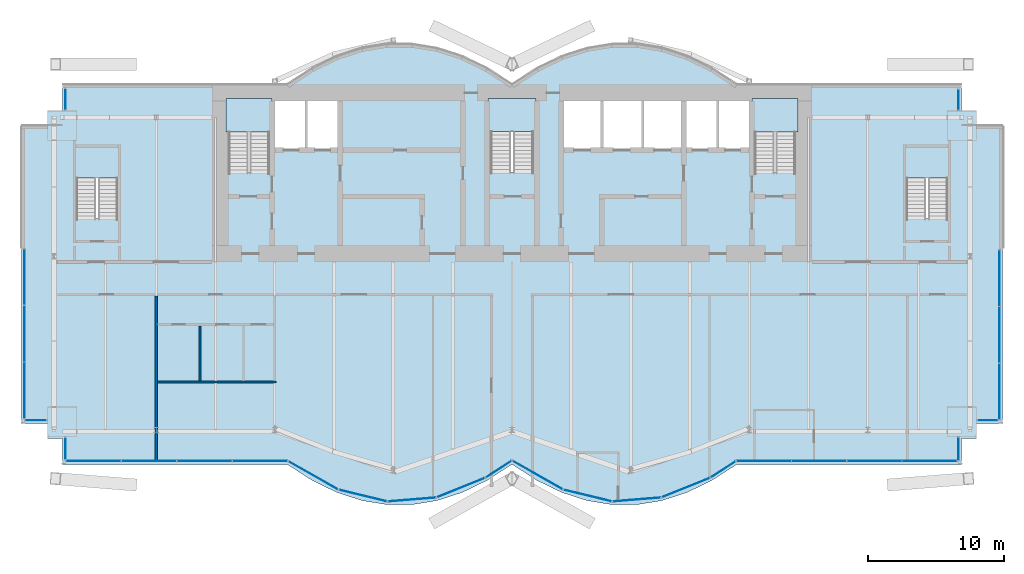
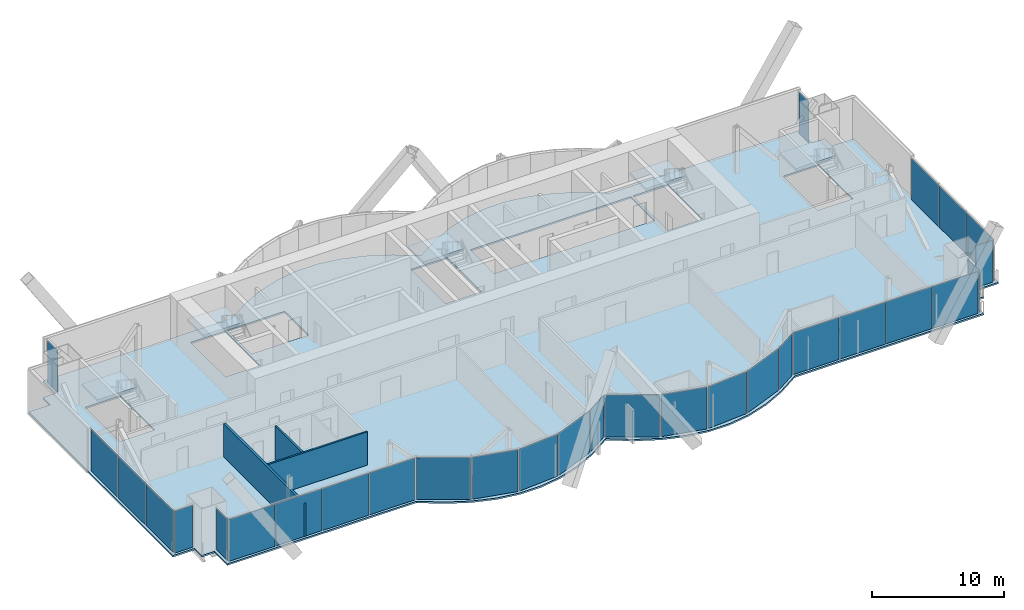
# One storey, part 12 of 19: 30 plates, 6 slabs, 3 walls, 17 elements without a shape of their own.
"""IFC4 building model written with IfcOpenShell, lengths in metres."""

import ifcopenshell
import ifcopenshell.guid

model = None  # the IFC model being written
_history = None  # IfcOwnerHistory: only IFC2X3 demands one
_inside = {}  # id of a spatial element -> (the spatial element, [elements in it])
_under = {}  # id of a project, library or spatial element -> (it, [spatial elements below it])
_declared = {}  # id of a project -> (the project, [libraries it declares])
_typed = {}  # id of a type object -> (the type object, [elements of that type])
_made_of = {}  # id of a material, layer set ... -> (it, [elements and type objects made of it])


def new_model(schema):
    """Start an empty IFC model of exactly this schema.

    Asked for "IFC4X3", IfcOpenShell would pick the latest addendum, in which some entities
    have other attributes; the version numbers below select the first issue.
    IFC2X3 requires an IfcOwnerHistory on every rooted entity: one is made here for all.
    """
    global model, _history
    if schema == "IFC4X3":
        model = ifcopenshell.file(schema_version=(4, 3, 0, 0))
    else:
        model = ifcopenshell.file(schema=schema)
    _inside.clear()
    _under.clear()
    _declared.clear()
    _typed.clear()
    _made_of.clear()
    _history = None
    if model.schema == "IFC2X3":
        org = make("IfcOrganization", Name="unknown")
        user = make(
            "IfcPersonAndOrganization",
            ThePerson=make("IfcPerson", FamilyName="unknown"),
            TheOrganization=org,
        )
        app = make(
            "IfcApplication",
            ApplicationDeveloper=org,
            Version="unknown",
            ApplicationFullName="unknown",
            ApplicationIdentifier="unknown",
        )
        _history = make(
            "IfcOwnerHistory",
            OwningUser=user,
            OwningApplication=app,
            ChangeAction="ADDED",
            CreationDate=0,
        )
    return model


def make(cls, **values):
    """One entity of the class cls with the attributes given. An attribute that is None is left unset."""
    return model.create_entity(
        cls, **{name: value for name, value in values.items() if value is not None}
    )


def rooted(cls, **values):
    """An entity with a GlobalId (a new one), such as an element, a storey or a relation."""
    return make(cls, GlobalId=ifcopenshell.guid.new(), OwnerHistory=_history, **values)


def si_unit(unit_type, name, prefix=None):
    """IfcSIUnit, for example si_unit("LENGTHUNIT", "METRE", prefix="MILLI")."""
    return make("IfcSIUnit", UnitType=unit_type, Prefix=prefix, Name=name)


def assignment(units):
    """IfcUnitAssignment: the units of a project."""
    return None if units is None else make("IfcUnitAssignment", Units=units)


def point(xyz):
    """IfcCartesianPoint."""
    return None if xyz is None else make("IfcCartesianPoint", Coordinates=xyz)


def direction(xyz):
    """IfcDirection."""
    return None if xyz is None else make("IfcDirection", DirectionRatios=xyz)


def frame(location, z_axis=None, x_axis=None):
    """IfcAxis2Placement3D, a coordinate frame: its origin and axes. An axis left out is left unset."""
    return make(
        "IfcAxis2Placement3D",
        Location=point(location),
        Axis=direction(z_axis),
        RefDirection=direction(x_axis),
    )


def frame_2d(location, x_axis=None):
    """IfcAxis2Placement2D, a coordinate frame in the plane: its origin and x axis."""
    return make(
        "IfcAxis2Placement2D", Location=point(location), RefDirection=direction(x_axis)
    )


def origin():
    """The frame at (0, 0, 0) with its axes left unset."""
    return frame((0.0, 0.0, 0.0))


def origin_2d():
    """The frame at (0, 0) in the plane with its x axis left unset."""
    return frame_2d((0.0, 0.0))


def place(relative_to, where):
    """IfcLocalPlacement: puts the frame where relative to a parent placement (None: the world)."""
    return make(
        "IfcLocalPlacement", PlacementRelTo=relative_to, RelativePlacement=where
    )


def context(
    kind, dimensions, precision=None, world=None, true_north=None, identifier=None
):
    """IfcGeometricRepresentationContext, for example the 3D "Model" context."""
    return make(
        "IfcGeometricRepresentationContext",
        ContextIdentifier=identifier,
        ContextType=kind,
        CoordinateSpaceDimension=dimensions,
        Precision=precision,
        WorldCoordinateSystem=world,
        TrueNorth=true_north,
    )


def subcontext(parent, identifier, kind, view, scale=None):
    """IfcGeometricRepresentationSubContext, for example "Body" below "Model"."""
    return make(
        "IfcGeometricRepresentationSubContext",
        ContextIdentifier=identifier,
        ContextType=kind,
        ParentContext=parent,
        TargetScale=scale,
        TargetView=view,
    )


def project(units=None, contexts=None):
    """IfcProject with its units and contexts."""
    return rooted(
        "IfcProject",
        Name="project",
        RepresentationContexts=contexts,
        UnitsInContext=assignment(units),
    )


def spatial(cls, under=None, at=None, **own):
    """A site, building, storey or space (cls), placed at a placement, below another one or the project."""
    s = rooted(cls, ObjectPlacement=at, **own)
    if under is not None:
        _under.setdefault(under.id(), (under, []))[1].append(s)
    return s


def polyline(points):
    """IfcPolyline through the points."""
    return make("IfcPolyline", Points=[point(p) for p in points])


def profile(cls, at=None, kind="AREA", **sizes):
    """A parametric profile (cls). Its sizes go by their IFC names, for example OverallWidth=200.0."""
    return make(cls, ProfileType=kind, Position=at, **sizes)


def rectangle(**sizes):
    """IfcRectangleProfileDef."""
    return profile("IfcRectangleProfileDef", **sizes)


def outline(outer, holes=None, kind="AREA"):
    """IfcArbitraryClosedProfileDef: a profile drawn as a closed curve; with holes, ...WithVoids."""
    if holes is None:
        return make("IfcArbitraryClosedProfileDef", ProfileType=kind, OuterCurve=outer)
    return make(
        "IfcArbitraryProfileDefWithVoids",
        ProfileType=kind,
        OuterCurve=outer,
        InnerCurves=holes,
    )


def extrude(swept, where, along, depth):
    """IfcExtrudedAreaSolid: the profile swept, set in the frame where, extruded along a direction by depth."""
    return make(
        "IfcExtrudedAreaSolid",
        SweptArea=swept,
        Position=where,
        ExtrudedDirection=direction(along),
        Depth=depth,
    )


def shape(context_of_items, identifier, shape_type, items):
    """IfcShapeRepresentation: the items that make up one representation, for example the "Body"."""
    return make(
        "IfcShapeRepresentation",
        ContextOfItems=context_of_items,
        RepresentationIdentifier=identifier,
        RepresentationType=shape_type,
        Items=items,
    )


def material(Name=None, Category=None):
    """IfcMaterial."""
    return make("IfcMaterial", Name=Name, Category=Category)


def layer(
    of_material, thickness, ventilated=None, Name=None, Category=None, Priority=None
):
    """IfcMaterialLayer: one layer of a wall or slab, of a material (None: an air gap)."""
    return make(
        "IfcMaterialLayer",
        Material=of_material,
        LayerThickness=thickness,
        IsVentilated=ventilated,
        Name=Name,
        Category=Category,
        Priority=Priority,
    )


def layer_set(layers, Name=None):
    """IfcMaterialLayerSet."""
    return make("IfcMaterialLayerSet", MaterialLayers=layers, LayerSetName=Name)


def made_of(thing, what):
    """Note that an element or type object is made of a material, layer set ...; save() writes the relation."""
    if what is not None:
        _made_of.setdefault(what.id(), (what, []))[1].append(thing)
    return thing


def type_object(cls, material=None, **own):
    """A type object (cls), such as IfcWallType, which elements share."""
    return made_of(rooted(cls, **own), material)


def element(
    cls,
    number,
    at=None,
    inside=None,
    cuts=None,
    type_object=None,
    material=None,
    context=None,
    identifier="Body",
    shape_type=None,
    held_by="IfcProductDefinitionShape",
    body=None,
    shapes=None,
    **own,
):
    """One element of the class cls, such as IfcWall. Its Tag is "e" and its number.

    at: its placement. inside: the storey or other place that contains it. cuts: it is an
    opening in that element (IfcRelVoidsElement). A single representation is given by context,
    identifier, shape_type and body (its items); several are given by shapes. held_by: the class
    of the entity that holds the representations. save() writes the other relations.
    """
    e = rooted(cls, Tag="e%d" % number, ObjectPlacement=at, **own)
    if body is not None:
        shapes = [shape(context, identifier, shape_type, body)]
    if shapes is not None:
        e.Representation = make(held_by, Representations=shapes)
    if inside is not None:
        _inside.setdefault(inside.id(), (inside, []))[1].append(e)
    if cuts is not None:
        rooted(
            "IfcRelVoidsElement", RelatingBuildingElement=cuts, RelatedOpeningElement=e
        )
    if type_object is not None:
        _typed.setdefault(type_object.id(), (type_object, []))[1].append(e)
    return made_of(e, material)


def aggregate(whole, parts):
    """IfcRelAggregates: a whole, such as a stair, and the parts it consists of."""
    return rooted("IfcRelAggregates", RelatingObject=whole, RelatedObjects=parts)


def save(model, path):
    """Write the relations noted so far, then the file.

    IfcRelAggregates (storeys below a building ...), IfcRelContainedInSpatialStructure (elements
    in a storey), IfcRelDefinesByType, IfcRelAssociatesMaterial and IfcRelDeclares: one each for
    every whole, place, type object, material and project.
    """
    for whole, parts in _under.values():
        aggregate(whole, parts)
    for where, things in _inside.values():
        rooted(
            "IfcRelContainedInSpatialStructure",
            RelatedElements=things,
            RelatingStructure=where,
        )
    for kind, things in _typed.values():
        rooted("IfcRelDefinesByType", RelatedObjects=things, RelatingType=kind)
    for what, things in _made_of.values():
        rooted("IfcRelAssociatesMaterial", RelatedObjects=things, RelatingMaterial=what)
    for by, libraries in _declared.values():
        rooted("IfcRelDeclares", RelatingContext=by, RelatedDefinitions=libraries)
    model.write(path)


model = new_model("IFC4")

# Units and contexts
model_context = context("Model", 3, precision=1e-05, world=origin(), true_north=direction((0.0, 1.0)))
body_context = subcontext(model_context, "Body", "Model", "MODEL_VIEW")
ifc_project = project(units=[si_unit("LENGTHUNIT", "METRE"), si_unit("AREAUNIT", "SQUARE_METRE"), si_unit("VOLUMEUNIT", "CUBIC_METRE"), si_unit("PLANEANGLEUNIT", "RADIAN"), si_unit("MASSUNIT", "GRAM", prefix="KILO")], contexts=[model_context])

# Site, building, storey
site_placement = place(None, origin())
site = spatial("IfcSite", under=ifc_project, at=site_placement, CompositionType="ELEMENT")
building_placement = place(site_placement, origin())
building = spatial("IfcBuilding", under=site, at=building_placement, Name="Bicima Exchange Tower", CompositionType="ELEMENT")
storey_placement = place(building_placement, frame((0.0, 0.0, 283.39990234375)))
storey = spatial("IfcBuildingStorey", under=building, at=storey_placement, Name="L64", CompositionType="ELEMENT", Elevation=283.39990234375)

# Slab
ifc_material_1 = material(Name="Concrete C40/50", Category="concrete")
ifc_layer_1 = layer(ifc_material_1, 0.14990234375)
ifc_layer_set_1 = layer_set([ifc_layer_1], Name="Concrete C40/50")
slab_type_1 = type_object("IfcSlabType", Name="Composite floor slab 150", PredefinedType="FLOOR", material=ifc_layer_set_1)
slab_1_placement = place(storey_placement, frame((0.0, 0.0, -0.14990234375)))
element("IfcSlab", 1, at=slab_1_placement, inside=storey, type_object=slab_type_1, Name="Floor slab", PredefinedType="FLOOR", context=body_context, shape_type="SweptSolid", body=[
    extrude(outline(polyline([(-36.0, -24.847900390625), (-36.0, -3.0), (-34.10009765625, -3.0), (-34.10009765625, -1.89990234375), (-33.0, -1.89990234375), (-33.0, 0.0), (-16.5, 0.0), (-14.666748046875, 1.185302734375), (-12.833251953125, 2.07421875), (-11.0, 2.666748046875), (-9.166748046875, 2.962890625), (-7.333251953125, 2.962890625), (-5.5, 2.666748046875), (-3.666748046875, 2.07421875), (-1.833251953125, 1.185302734375), (0.0, 0.0), (1.833251953125, 1.185302734375), (3.666748046875, 2.07421875), (5.5, 2.666748046875), (7.333251953125, 2.962890625), (9.166748046875, 2.962890625), (11.0, 2.666748046875), (12.833251953125, 2.07421875), (14.666748046875, 1.185302734375), (16.5, 0.0), (33.0, 0.0), (33.0, -1.89990234375), (34.10009765625, -1.89990234375), (34.10009765625, -3.0), (36.0, -3.0), (36.0, -24.847900390625), (34.10009765625, -24.847900390625), (34.10009765625, -25.947998046875), (33.0, -25.947998046875), (33.0, -27.847900390625), (16.5, -27.847900390625), (14.666748046875, -29.033203125), (12.833251953125, -29.922119140625), (11.0, -30.5146484375), (9.166748046875, -30.81103515625), (7.333251953125, -30.81103515625), (5.5, -30.5146484375), (3.666748046875, -29.922119140625), (1.833251953125, -29.033203125), (0.0, -27.847900390625), (-1.833251953125, -29.033203125), (-3.666748046875, -29.922119140625), (-5.5, -30.5146484375), (-7.333251953125, -30.81103515625), (-9.166748046875, -30.81103515625), (-11.0, -30.5146484375), (-12.833251953125, -29.922119140625), (-14.666748046875, -29.033203125), (-16.5, -27.847900390625), (-33.0, -27.847900390625), (-33.0, -25.947998046875), (-34.10009765625, -25.947998046875), (-34.10009765625, -24.847900390625), (-36.0, -24.847900390625)]), holes=[polyline([(-28.925048828125, -9.824951171875), (-28.925048828125, -4.625), (-31.97509765625, -4.625), (-31.97509765625, -9.824951171875), (-28.925048828125, -9.824951171875)]), polyline([(-20.800048828125, -6.449951171875), (-17.800048828125, -6.449951171875), (-17.800048828125, -1.199951171875), (-20.800048828125, -1.199951171875), (-20.800048828125, -6.449951171875)]), polyline([(-1.574951171875, -6.39990234375), (1.574951171875, -6.39990234375), (1.574951171875, -1.199951171875), (-1.574951171875, -1.199951171875), (-1.574951171875, -6.39990234375)]), polyline([(-12.60009765625, -1.199951171875), (-15.10009765625, -1.199951171875), (-17.60009765625, -1.199951171875), (-17.60009765625, -4.800048828125), (-15.10009765625, -4.800048828125), (-12.60009765625, -4.800048828125), (-12.60009765625, -1.199951171875)]), polyline([(3.60009765625, -4.800048828125), (6.60009765625, -4.800048828125), (9.60009765625, -4.800048828125), (12.60009765625, -4.800048828125), (15.10009765625, -4.800048828125), (17.60009765625, -4.800048828125), (17.60009765625, -1.199951171875), (15.10009765625, -1.199951171875), (12.60009765625, -1.199951171875), (9.60009765625, -1.199951171875), (6.60009765625, -1.199951171875), (3.60009765625, -1.199951171875), (3.60009765625, -4.800048828125)]), polyline([(31.97509765625, -9.824951171875), (31.97509765625, -4.625), (28.925048828125, -4.625), (28.925048828125, -9.824951171875), (31.97509765625, -9.824951171875)]), polyline([(17.800048828125, -6.449951171875), (20.800048828125, -6.449951171875), (20.800048828125, -1.199951171875), (17.800048828125, -1.199951171875), (17.800048828125, -6.449951171875)])]), origin(), (0.0, 0.0, 1.0), 0.14990234375),
])

# Curtain wall, plates
ifc_material_2 = material(Name="Anodised bronze aluminium", Category="aluminium")
curtain_wall_type_1 = type_object("IfcCurtainWallType", Name="End face glass wall", PredefinedType="NOTDEFINED", material=ifc_material_2)
curtain_wall_1_placement = place(storey_placement, origin())
curtain_wall_1 = element("IfcCurtainWall", 2, at=curtain_wall_1_placement, inside=storey, type_object=curtain_wall_type_1, Name="End face glass wall L64 run 2", PredefinedType="NOTDEFINED")
ifc_material_3 = material(Name="Bronze tinted glass", Category="glass")
ifc_layer_2 = layer(ifc_material_3, 0.031982421875)
ifc_layer_set_2 = layer_set([ifc_layer_2], Name="Bronze tinted glass")
plate_type_1 = type_object("IfcPlateType", Name="End face glass wall glass panel 32", PredefinedType="CURTAIN_PANEL", material=ifc_layer_set_2)
plate_1_placement = place(storey_placement, frame((-35.77001953125, -14.109619140625, 0.0), z_axis=(0.0, 0.0, 1.0), x_axis=(0.0, -1.0, 0.0)))
plate_1 = element("IfcPlate", 3, at=plate_1_placement, type_object=plate_type_1, Name="End face glass wall panel 1.1", PredefinedType="CURTAIN_PANEL", context=body_context, shape_type="SweptSolid", body=[
    extrude(rectangle(XDim=4.099365234375, YDim=0.031982421875, at=origin_2d()), origin(), (0.0, 0.0, 1.0), 3.860107421875),
])
plate_2_placement = place(storey_placement, frame((-35.77001953125, -18.26904296875, 0.0), z_axis=(0.0, 0.0, 1.0), x_axis=(0.0, -1.0, 0.0)))
plate_2 = element("IfcPlate", 4, at=plate_2_placement, type_object=plate_type_1, Name="End face glass wall panel 2.1", PredefinedType="CURTAIN_PANEL", context=body_context, shape_type="SweptSolid", body=[
    extrude(rectangle(XDim=4.099365234375, YDim=0.031982421875, at=origin_2d()), origin(), (0.0, 0.0, 1.0), 3.860107421875),
])

curtain_wall_2_placement = place(storey_placement, origin())
curtain_wall_2 = element("IfcCurtainWall", 5, at=curtain_wall_2_placement, inside=storey, type_object=curtain_wall_type_1, Name="End face glass wall L64 run 19", PredefinedType="NOTDEFINED")
plate_3_placement = place(storey_placement, frame((35.77001953125, -18.34912109375, 0.0), z_axis=(0.0, 0.0, 1.0), x_axis=(0.0, 1.0, 0.0)))
plate_3 = element("IfcPlate", 6, at=plate_3_placement, type_object=plate_type_1, Name="End face glass wall panel 2.1", PredefinedType="CURTAIN_PANEL", context=body_context, shape_type="SweptSolid", body=[
    extrude(rectangle(XDim=4.099365234375, YDim=0.031982421875, at=origin_2d()), origin(), (0.0, 0.0, 1.0), 3.860107421875),
])
plate_4_placement = place(storey_placement, frame((35.77001953125, -14.189697265625, 0.0), z_axis=(0.0, 0.0, 1.0), x_axis=(0.0, 1.0, 0.0)))
plate_4 = element("IfcPlate", 7, at=plate_4_placement, type_object=plate_type_1, Name="End face glass wall panel 3.1", PredefinedType="CURTAIN_PANEL", context=body_context, shape_type="SweptSolid", body=[
    extrude(rectangle(XDim=4.099365234375, YDim=0.031982421875, at=origin_2d()), origin(), (0.0, 0.0, 1.0), 3.860107421875),
])

# Plate
ifc_material_4 = material(Name="Bronze anodised aluminium", Category="aluminium")
ifc_layer_3 = layer(ifc_material_4, 0.031982421875)
ifc_layer_set_3 = layer_set([ifc_layer_3], Name="Bronze anodised aluminium")
plate_type_2 = type_object("IfcPlateType", Name="End face glass wall spandrel panel 32", PredefinedType="CURTAIN_PANEL", material=ifc_layer_set_3)
plate_5_placement = place(storey_placement, frame((-35.77001953125, -22.42822265625, 0.0), z_axis=(0.0, 0.0, 1.0), x_axis=(0.0, -1.0, 0.0)))
plate_5 = element("IfcPlate", 8, at=plate_5_placement, type_object=plate_type_2, Name="End face spandrel wall panel 3.1", PredefinedType="CURTAIN_PANEL", context=body_context, shape_type="SweptSolid", body=[
    extrude(rectangle(XDim=4.099365234375, YDim=0.031982421875, at=origin_2d()), origin(), (0.0, 0.0, 1.0), 3.860107421875),
])

aggregate(curtain_wall_1, [plate_1, plate_2, plate_5])

plate_6_placement = place(storey_placement, frame((35.77001953125, -22.50830078125, 0.0), z_axis=(0.0, 0.0, 1.0), x_axis=(0.0, 1.0, 0.0)))
plate_6 = element("IfcPlate", 9, at=plate_6_placement, type_object=plate_type_2, Name="End face spandrel wall panel 1.1", PredefinedType="CURTAIN_PANEL", context=body_context, shape_type="SweptSolid", body=[
    extrude(rectangle(XDim=4.099365234375, YDim=0.031982421875, at=origin_2d()), origin(), (0.0, 0.0, 1.0), 3.860107421875),
])

aggregate(curtain_wall_2, [plate_6, plate_3, plate_4])

# Curtain wall, plate
curtain_wall_type_2 = type_object("IfcCurtainWallType", Name="Front glass wall", PredefinedType="NOTDEFINED", material=ifc_material_2)
curtain_wall_3_placement = place(storey_placement, origin())
curtain_wall_3 = element("IfcCurtainWall", 10, at=curtain_wall_3_placement, inside=storey, type_object=curtain_wall_type_2, Name="Front glass wall L64 run 1", PredefinedType="NOTDEFINED")
ifc_layer_4 = layer(ifc_material_3, 0.031982421875)
ifc_layer_set_4 = layer_set([ifc_layer_4], Name="Bronze tinted glass")
plate_type_3 = type_object("IfcPlateType", Name="Front glass wall glass panel 32", PredefinedType="CURTAIN_PANEL", material=ifc_layer_set_4)
plate_7_placement = place(storey_placement, frame((-32.77001953125, -1.06494140625, 0.0), z_axis=(0.0, 0.0, 1.0), x_axis=(0.0, -1.0, 0.0)))
plate_7 = element("IfcPlate", 11, at=plate_7_placement, type_object=plate_type_3, Name="Front glass wall panel 1.1", PredefinedType="CURTAIN_PANEL", context=body_context, shape_type="SweptSolid", body=[
    extrude(rectangle(XDim=1.550048828125, YDim=0.031982421875, at=origin_2d()), origin(), (0.0, 0.0, 1.0), 3.860107421875),
])
aggregate(curtain_wall_3, [plate_7])

curtain_wall_4_placement = place(storey_placement, origin())
curtain_wall_4 = element("IfcCurtainWall", 12, at=curtain_wall_4_placement, inside=storey, type_object=curtain_wall_type_2, Name="Front glass wall L64 run 3", PredefinedType="NOTDEFINED")
plate_8_placement = place(storey_placement, frame((-34.93505859375, -24.617919921875, 0.0), z_axis=(0.0, 0.0, 1.0), x_axis=(1.0, 0.0, 0.0)))
plate_8 = element("IfcPlate", 13, at=plate_8_placement, type_object=plate_type_3, Name="Front glass wall panel 1.1", PredefinedType="CURTAIN_PANEL", context=body_context, shape_type="SweptSolid", body=[
    extrude(rectangle(XDim=1.550048828125, YDim=0.031982421875, at=origin_2d()), origin(), (0.0, 0.0, 1.0), 3.860107421875),
])
aggregate(curtain_wall_4, [plate_8])

curtain_wall_5_placement = place(storey_placement, origin())
curtain_wall_5 = element("IfcCurtainWall", 14, at=curtain_wall_5_placement, inside=storey, type_object=curtain_wall_type_2, Name="Front glass wall L64 run 4", PredefinedType="NOTDEFINED")
plate_9_placement = place(storey_placement, frame((-32.77001953125, -26.681884765625, 0.0), z_axis=(0.0, 0.0, 1.0), x_axis=(0.0, -1.0, 0.0)))
plate_9 = element("IfcPlate", 15, at=plate_9_placement, type_object=plate_type_3, Name="Front glass wall panel 1.1", PredefinedType="CURTAIN_PANEL", context=body_context, shape_type="SweptSolid", body=[
    extrude(rectangle(XDim=1.592041015625, YDim=0.031982421875, at=origin_2d()), origin(), (0.0, 0.0, 1.0), 3.860107421875),
])
aggregate(curtain_wall_5, [plate_9])

# Curtain wall, plates
curtain_wall_6_placement = place(storey_placement, origin())
curtain_wall_6 = element("IfcCurtainWall", 16, at=curtain_wall_6_placement, inside=storey, type_object=curtain_wall_type_2, Name="Front glass wall L64 run 5", PredefinedType="NOTDEFINED")
plate_10_placement = place(storey_placement, frame((-22.56640625, -27.617919921875, 0.0), z_axis=(0.0, 0.0, 1.0), x_axis=(1.0, 0.0, 0.0)))
plate_10 = element("IfcPlate", 17, at=plate_10_placement, type_object=plate_type_3, Name="Front glass wall panel 3.1", PredefinedType="CURTAIN_PANEL", context=body_context, shape_type="SweptSolid", body=[
    extrude(rectangle(XDim=4.009521484375, YDim=0.031982421875, at=origin_2d()), origin(), (0.0, 0.0, 1.0), 3.860107421875),
])
plate_11_placement = place(storey_placement, frame((-18.496826171875, -27.617919921875, 0.0), z_axis=(0.0, 0.0, 1.0), x_axis=(1.0, 0.0, 0.0)))
plate_11 = element("IfcPlate", 18, at=plate_11_placement, type_object=plate_type_3, Name="Front glass wall panel 4.1", PredefinedType="CURTAIN_PANEL", context=body_context, shape_type="SweptSolid", body=[
    extrude(rectangle(XDim=4.009521484375, YDim=0.031982421875, at=origin_2d()), origin(), (0.0, 0.0, 1.0), 3.860107421875),
])

curtain_wall_7_placement = place(storey_placement, origin())
curtain_wall_7 = element("IfcCurtainWall", 19, at=curtain_wall_7_placement, inside=storey, type_object=curtain_wall_type_2, Name="Front glass wall L64 run 6", PredefinedType="NOTDEFINED")
plate_12_placement = place(storey_placement, frame((-14.589599609375, -28.6630859375, 0.0), z_axis=(0.0, 0.0, 1.0), x_axis=(0.869805110681, -0.493395449343, 0.0)))
plate_12 = element("IfcPlate", 20, at=plate_12_placement, type_object=plate_type_3, Name="Front glass wall panel 1.1", PredefinedType="CURTAIN_PANEL", context=body_context, shape_type="SweptSolid", body=[
    extrude(rectangle(XDim=4.1162109375, YDim=0.031982421875, at=origin_2d()), origin(), (0.0, 0.0, 1.0), 3.860107421875),
])
plate_13_placement = place(storey_placement, frame((-10.94775390625, -30.14453125, 0.0), z_axis=(0.0, 0.0, 1.0), x_axis=(0.971830343553, -0.235681529503, 0.0)))
plate_13 = element("IfcPlate", 21, at=plate_13_placement, type_object=plate_type_3, Name="Front glass wall panel 1.1", PredefinedType="CURTAIN_PANEL", context=body_context, shape_type="SweptSolid", body=[
    extrude(rectangle(XDim=3.583251953125, YDim=0.031982421875, at=origin_2d()), origin(), (0.0, 0.0, 1.0), 3.860107421875),
])
plate_14_placement = place(storey_placement, frame((-0.97314453125, -28.203125, 0.0), z_axis=(0.0, 0.0, 1.0), x_axis=(0.839798994301, 0.542897457326, 0.0)))
plate_14 = element("IfcPlate", 22, at=plate_14_placement, type_object=plate_type_3, Name="Front glass wall panel 1.1", PredefinedType="CURTAIN_PANEL", context=body_context, shape_type="SweptSolid", body=[
    extrude(rectangle(XDim=2.197509765625, YDim=0.031982421875, at=origin_2d()), origin(), (0.0, 0.0, 1.0), 3.860107421875),
])

curtain_wall_8_placement = place(storey_placement, origin())
curtain_wall_8 = element("IfcCurtainWall", 23, at=curtain_wall_8_placement, inside=storey, type_object=curtain_wall_type_2, Name="Front glass wall L64 run 11", PredefinedType="NOTDEFINED")
plate_15_placement = place(storey_placement, frame((9.14892578125, -30.435791015625, 0.0), z_axis=(0.0, 0.0, 1.0), x_axis=(0.99674744821, 0.080588612633, 0.0)))
plate_15 = element("IfcPlate", 24, at=plate_15_placement, type_object=plate_type_3, Name="Front glass wall panel 1.1", PredefinedType="CURTAIN_PANEL", context=body_context, shape_type="SweptSolid", body=[
    extrude(rectangle(XDim=3.486083984375, YDim=0.031982421875, at=origin_2d()), origin(), (0.0, 0.0, 1.0), 3.860107421875),
])
plate_16_placement = place(storey_placement, frame((12.749755859375, -29.561279296875, 0.0), z_axis=(0.0, 0.0, 1.0), x_axis=(0.92714396679, 0.374705304, 0.0)))
plate_16 = element("IfcPlate", 25, at=plate_16_placement, type_object=plate_type_3, Name="Front glass wall panel 1.1", PredefinedType="CURTAIN_PANEL", context=body_context, shape_type="SweptSolid", body=[
    extrude(rectangle(XDim=3.771240234375, YDim=0.031982421875, at=origin_2d()), origin(), (0.0, 0.0, 1.0), 3.860107421875),
])
plate_17_placement = place(storey_placement, frame((15.492919921875, -28.22509765625, 0.0), z_axis=(0.0, 0.0, 1.0), x_axis=(0.839791413941, 0.542909183079, 0.0)))
plate_17 = element("IfcPlate", 26, at=plate_17_placement, type_object=plate_type_3, Name="Front glass wall panel 1.1", PredefinedType="CURTAIN_PANEL", context=body_context, shape_type="SweptSolid", body=[
    extrude(rectangle(XDim=2.11669921875, YDim=0.031982421875, at=origin_2d()), origin(), (0.0, 0.0, 1.0), 3.860107421875),
])

curtain_wall_9_placement = place(storey_placement, origin())
curtain_wall_9 = element("IfcCurtainWall", 27, at=curtain_wall_9_placement, inside=storey, type_object=curtain_wall_type_2, Name="Front glass wall L64 run 16", PredefinedType="NOTDEFINED")
plate_18_placement = place(storey_placement, frame((18.48681640625, -27.617919921875, 0.0), z_axis=(0.0, 0.0, 1.0), x_axis=(1.0, 0.0, 0.0)))
plate_18 = element("IfcPlate", 28, at=plate_18_placement, type_object=plate_type_3, Name="Front glass wall panel 1.1", PredefinedType="CURTAIN_PANEL", context=body_context, shape_type="SweptSolid", body=[
    extrude(rectangle(XDim=3.989501953125, YDim=0.031982421875, at=origin_2d()), origin(), (0.0, 0.0, 1.0), 3.860107421875),
])
plate_19_placement = place(storey_placement, frame((22.536376953125, -27.617919921875, 0.0), z_axis=(0.0, 0.0, 1.0), x_axis=(1.0, 0.0, 0.0)))
plate_19 = element("IfcPlate", 29, at=plate_19_placement, type_object=plate_type_3, Name="Front glass wall panel 2.1", PredefinedType="CURTAIN_PANEL", context=body_context, shape_type="SweptSolid", body=[
    extrude(rectangle(XDim=3.989501953125, YDim=0.031982421875, at=origin_2d()), origin(), (0.0, 0.0, 1.0), 3.860107421875),
])

# Curtain wall, plate
curtain_wall_10_placement = place(storey_placement, origin())
curtain_wall_10 = element("IfcCurtainWall", 30, at=curtain_wall_10_placement, inside=storey, type_object=curtain_wall_type_2, Name="Front glass wall L64 run 17", PredefinedType="NOTDEFINED")
plate_20_placement = place(storey_placement, frame((32.77001953125, -26.721923828125, 0.0), z_axis=(0.0, 0.0, 1.0), x_axis=(0.0, 1.0, 0.0)))
plate_20 = element("IfcPlate", 31, at=plate_20_placement, type_object=plate_type_3, Name="Front glass wall panel 1.1", PredefinedType="CURTAIN_PANEL", context=body_context, shape_type="SweptSolid", body=[
    extrude(rectangle(XDim=1.672119140625, YDim=0.031982421875, at=origin_2d()), origin(), (0.0, 0.0, 1.0), 3.860107421875),
])
aggregate(curtain_wall_10, [plate_20])

curtain_wall_11_placement = place(storey_placement, origin())
curtain_wall_11 = element("IfcCurtainWall", 32, at=curtain_wall_11_placement, inside=storey, type_object=curtain_wall_type_2, Name="Front glass wall L64 run 18", PredefinedType="NOTDEFINED")
plate_21_placement = place(storey_placement, frame((34.89501953125, -24.617919921875, 0.0), z_axis=(0.0, 0.0, 1.0), x_axis=(1.0, 0.0, 0.0)))
plate_21 = element("IfcPlate", 33, at=plate_21_placement, type_object=plate_type_3, Name="Front glass wall panel 1.1", PredefinedType="CURTAIN_PANEL", context=body_context, shape_type="SweptSolid", body=[
    extrude(rectangle(XDim=1.469970703125, YDim=0.031982421875, at=origin_2d()), origin(), (0.0, 0.0, 1.0), 3.860107421875),
])
aggregate(curtain_wall_11, [plate_21])

curtain_wall_12_placement = place(storey_placement, origin())
curtain_wall_12 = element("IfcCurtainWall", 34, at=curtain_wall_12_placement, inside=storey, type_object=curtain_wall_type_2, Name="Front glass wall L64 run 20", PredefinedType="NOTDEFINED")
plate_22_placement = place(storey_placement, frame((32.77001953125, -1.10498046875, 0.0), z_axis=(0.0, 0.0, 1.0), x_axis=(0.0, 1.0, 0.0)))
plate_22 = element("IfcPlate", 35, at=plate_22_placement, type_object=plate_type_3, Name="Front glass wall panel 1.1", PredefinedType="CURTAIN_PANEL", context=body_context, shape_type="SweptSolid", body=[
    extrude(rectangle(XDim=1.469970703125, YDim=0.031982421875, at=origin_2d()), origin(), (0.0, 0.0, 1.0), 3.860107421875),
])
aggregate(curtain_wall_12, [plate_22])

# Plate
ifc_layer_5 = layer(ifc_material_4, 0.031982421875)
ifc_layer_set_5 = layer_set([ifc_layer_5], Name="Bronze anodised aluminium")
plate_type_4 = type_object("IfcPlateType", Name="Front glass wall spandrel panel 32", PredefinedType="CURTAIN_PANEL", material=ifc_layer_set_5)
plate_23_placement = place(storey_placement, frame((-30.705322265625, -27.617919921875, 0.0), z_axis=(0.0, 0.0, 1.0), x_axis=(1.0, 0.0, 0.0)))
plate_23 = element("IfcPlate", 36, at=plate_23_placement, type_object=plate_type_4, Name="Front spandrel wall panel 1.1", PredefinedType="CURTAIN_PANEL", context=body_context, shape_type="SweptSolid", body=[
    extrude(rectangle(XDim=4.009521484375, YDim=0.031982421875, at=origin_2d()), origin(), (0.0, 0.0, 1.0), 3.860107421875),
])

plate_24_placement = place(storey_placement, frame((-26.6357421875, -27.617919921875, 0.0), z_axis=(0.0, 0.0, 1.0), x_axis=(1.0, 0.0, 0.0)))
plate_24 = element("IfcPlate", 37, at=plate_24_placement, type_object=plate_type_4, Name="Front spandrel wall panel 2.1", PredefinedType="CURTAIN_PANEL", context=body_context, shape_type="SweptSolid", body=[
    extrude(rectangle(XDim=4.009521484375, YDim=0.031982421875, at=origin_2d()), origin(), (0.0, 0.0, 1.0), 3.860107421875),
])

aggregate(curtain_wall_6, [plate_23, plate_24, plate_10, plate_11])

plate_25_placement = place(storey_placement, frame((-7.35107421875, -30.435791015625, 0.0), z_axis=(0.0, 0.0, 1.0), x_axis=(0.99674744821, 0.080588612633, 0.0)))
plate_25 = element("IfcPlate", 38, at=plate_25_placement, type_object=plate_type_4, Name="Front spandrel wall panel 1.1", PredefinedType="CURTAIN_PANEL", context=body_context, shape_type="SweptSolid", body=[
    extrude(rectangle(XDim=3.486083984375, YDim=0.031982421875, at=origin_2d()), origin(), (0.0, 0.0, 1.0), 3.860107421875),
])

plate_26_placement = place(storey_placement, frame((-3.750244140625, -29.561279296875, 0.0), z_axis=(0.0, 0.0, 1.0), x_axis=(0.92714396679, 0.374705304, 0.0)))
plate_26 = element("IfcPlate", 39, at=plate_26_placement, type_object=plate_type_4, Name="Front spandrel wall panel 1.1", PredefinedType="CURTAIN_PANEL", context=body_context, shape_type="SweptSolid", body=[
    extrude(rectangle(XDim=3.771240234375, YDim=0.031982421875, at=origin_2d()), origin(), (0.0, 0.0, 1.0), 3.860107421875),
])

aggregate(curtain_wall_7, [plate_12, plate_13, plate_25, plate_26, plate_14])

plate_27_placement = place(storey_placement, frame((1.876220703125, -28.64111328125, 0.0), z_axis=(0.0, 0.0, 1.0), x_axis=(0.869274147378, -0.494330311331, 0.0)))
plate_27 = element("IfcPlate", 40, at=plate_27_placement, type_object=plate_type_4, Name="Front spandrel wall panel 1.1", PredefinedType="CURTAIN_PANEL", context=body_context, shape_type="SweptSolid", body=[
    extrude(rectangle(XDim=4.197021484375, YDim=0.031982421875, at=origin_2d()), origin(), (0.0, 0.0, 1.0), 3.860107421875),
])

plate_28_placement = place(storey_placement, frame((5.55224609375, -30.14453125, 0.0), z_axis=(0.0, 0.0, 1.0), x_axis=(0.971830343553, -0.235681529503, 0.0)))
plate_28 = element("IfcPlate", 41, at=plate_28_placement, type_object=plate_type_4, Name="Front spandrel wall panel 1.1", PredefinedType="CURTAIN_PANEL", context=body_context, shape_type="SweptSolid", body=[
    extrude(rectangle(XDim=3.583251953125, YDim=0.031982421875, at=origin_2d()), origin(), (0.0, 0.0, 1.0), 3.860107421875),
])

aggregate(curtain_wall_8, [plate_27, plate_28, plate_15, plate_16, plate_17])

plate_29_placement = place(storey_placement, frame((26.585693359375, -27.617919921875, 0.0), z_axis=(0.0, 0.0, 1.0), x_axis=(1.0, 0.0, 0.0)))
plate_29 = element("IfcPlate", 42, at=plate_29_placement, type_object=plate_type_4, Name="Front spandrel wall panel 3.1", PredefinedType="CURTAIN_PANEL", context=body_context, shape_type="SweptSolid", body=[
    extrude(rectangle(XDim=3.989501953125, YDim=0.031982421875, at=origin_2d()), origin(), (0.0, 0.0, 1.0), 3.860107421875),
])

plate_30_placement = place(storey_placement, frame((30.63525390625, -27.617919921875, 0.0), z_axis=(0.0, 0.0, 1.0), x_axis=(1.0, 0.0, 0.0)))
plate_30 = element("IfcPlate", 43, at=plate_30_placement, type_object=plate_type_4, Name="Front spandrel wall panel 4.1", PredefinedType="CURTAIN_PANEL", context=body_context, shape_type="SweptSolid", body=[
    extrude(rectangle(XDim=3.989501953125, YDim=0.031982421875, at=origin_2d()), origin(), (0.0, 0.0, 1.0), 3.860107421875),
])

aggregate(curtain_wall_9, [plate_18, plate_19, plate_29, plate_30])

# Stair, slab
ifc_material_5 = material(Name="Concrete C50/60", Category="concrete")
stair_type_1 = type_object("IfcStairType", Name="Exit stair", PredefinedType="HALF_TURN_STAIR", material=ifc_material_5)
stair_1_placement = place(storey_placement, origin())
stair_1 = element("IfcStair", 44, at=stair_1_placement, inside=storey, type_object=stair_type_1, Name="L64 West exit stair", PredefinedType="HALF_TURN_STAIR")
ifc_layer_6 = layer(ifc_material_5, 0.199951171875)
ifc_layer_set_6 = layer_set([ifc_layer_6], Name="Concrete C50/60")
slab_type_2 = type_object("IfcSlabType", Name="Stair landing slab", PredefinedType="LANDING", material=ifc_layer_set_6)
slab_2_placement = place(storey_placement, frame((0.0, 0.0, 1.900146484375)))
slab_2 = element("IfcSlab", 45, at=slab_2_placement, type_object=slab_type_2, Name="ST-W landing 1", PredefinedType="LANDING", context=body_context, shape_type="SweptSolid", body=[
    extrude(outline(polyline([(-17.60009765625, -3.469970703125), (-17.60009765625, -1.0), (-21.0, -1.0), (-21.0, -3.469970703125), (-17.60009765625, -3.469970703125)])), origin(), (0.0, 0.0, 1.0), 0.199951171875),
])
aggregate(stair_1, [slab_2])

stair_type_2 = type_object("IfcStairType", Name="Exit stair 1500", PredefinedType="HALF_TURN_STAIR", material=ifc_material_5)
stair_2_placement = place(storey_placement, origin())
stair_2 = element("IfcStair", 46, at=stair_2_placement, inside=storey, type_object=stair_type_2, Name="L64 Central exit stair", PredefinedType="HALF_TURN_STAIR")
slab_3_placement = place(storey_placement, frame((0.0, 0.0, 1.900146484375)))
slab_3 = element("IfcSlab", 47, at=slab_3_placement, type_object=slab_type_2, Name="ST-C landing 1", PredefinedType="LANDING", context=body_context, shape_type="SweptSolid", body=[
    extrude(outline(polyline([(1.77490234375, -3.419921875), (1.77490234375, -1.0), (-1.77490234375, -1.0), (-1.77490234375, -3.419921875), (1.77490234375, -3.419921875)])), origin(), (0.0, 0.0, 1.0), 0.199951171875),
])
aggregate(stair_2, [slab_3])

stair_3_placement = place(storey_placement, origin())
stair_3 = element("IfcStair", 48, at=stair_3_placement, inside=storey, type_object=stair_type_1, Name="L64 East exit stair", PredefinedType="HALF_TURN_STAIR")
slab_4_placement = place(storey_placement, frame((0.0, 0.0, 1.900146484375)))
slab_4 = element("IfcSlab", 49, at=slab_4_placement, type_object=slab_type_2, Name="ST-E landing 1", PredefinedType="LANDING", context=body_context, shape_type="SweptSolid", body=[
    extrude(outline(polyline([(21.0, -3.469970703125), (21.0, -1.0), (17.60009765625, -1.0), (17.60009765625, -3.469970703125), (21.0, -3.469970703125)])), origin(), (0.0, 0.0, 1.0), 0.199951171875),
])
aggregate(stair_3, [slab_4])

stair_4_placement = place(storey_placement, origin())
stair_4 = element("IfcStair", 50, at=stair_4_placement, inside=storey, type_object=stair_type_1, Name="L64 West end exit stair", PredefinedType="HALF_TURN_STAIR")
slab_5_placement = place(storey_placement, frame((0.0, 0.0, 1.900146484375)))
slab_5 = element("IfcSlab", 51, at=slab_5_placement, type_object=slab_type_2, Name="ST-WW landing 1", PredefinedType="LANDING", context=body_context, shape_type="SweptSolid", body=[
    extrude(outline(polyline([(-28.72509765625, -6.844970703125), (-28.72509765625, -4.425048828125), (-32.175048828125, -4.425048828125), (-32.175048828125, -6.844970703125), (-28.72509765625, -6.844970703125)])), origin(), (0.0, 0.0, 1.0), 0.199951171875),
])
aggregate(stair_4, [slab_5])

stair_5_placement = place(storey_placement, origin())
stair_5 = element("IfcStair", 52, at=stair_5_placement, inside=storey, type_object=stair_type_1, Name="L64 East end exit stair", PredefinedType="HALF_TURN_STAIR")
slab_6_placement = place(storey_placement, frame((0.0, 0.0, 1.900146484375)))
slab_6 = element("IfcSlab", 53, at=slab_6_placement, type_object=slab_type_2, Name="ST-EE landing 1", PredefinedType="LANDING", context=body_context, shape_type="SweptSolid", body=[
    extrude(outline(polyline([(32.175048828125, -6.844970703125), (32.175048828125, -4.425048828125), (28.72509765625, -4.425048828125), (28.72509765625, -6.844970703125), (32.175048828125, -6.844970703125)])), origin(), (0.0, 0.0, 1.0), 0.199951171875),
])
aggregate(stair_5, [slab_6])

# Walls
ifc_material_6 = material(Name="Gypsum board partition")
ifc_layer_7 = layer(ifc_material_6, 0.199951171875)
ifc_layer_set_7 = layer_set([ifc_layer_7], Name="Gypsum board partition")
wall_type_1 = type_object("IfcWallType", Name="Fire-rated gypsum partition 200 EI60", PredefinedType="PARTITIONING", material=ifc_layer_set_7)
wall_1_placement = place(storey_placement, frame((-26.10009765625, -27.639892578125, 0.0), z_axis=(0.0, 0.0, 1.0), x_axis=(0.0, 1.0, 0.0)))
element("IfcWall", 54, at=wall_1_placement, inside=storey, type_object=wall_type_1, Name="partition wall 15", PredefinedType="PARTITIONING", context=body_context, shape_type="SweptSolid", body=[
    extrude(rectangle(XDim=12.139892578125, YDim=0.199951171875, at=frame_2d((6.06982421875, 0.0))), origin(), (0.0, 0.0, 1.0), 3.068359375),
])
ifc_layer_8 = layer(ifc_material_6, 0.14990234375)
ifc_layer_set_8 = layer_set([ifc_layer_8], Name="Gypsum board partition")
wall_type_2 = type_object("IfcWallType", Name="Gypsum partition 150", PredefinedType="PARTITIONING", material=ifc_layer_set_8)
wall_2_placement = place(storey_placement, frame((-26.0, -21.800048828125, 0.0), z_axis=(0.0, 0.0, 1.0), x_axis=(1.0, 0.0, 0.0)))
element("IfcWall", 55, at=wall_2_placement, inside=storey, type_object=wall_type_2, Name="partition wall 3", PredefinedType="PARTITIONING", context=body_context, shape_type="SweptSolid", body=[
    extrude(rectangle(XDim=8.699951171875, YDim=0.14990234375, at=frame_2d((4.35009765625, 0.0))), origin(), (0.0, 0.0, 1.0), 3.068359375),
])
wall_3_placement = place(storey_placement, frame((-22.89990234375, -21.72509765625, 0.0), z_axis=(0.0, 0.0, 1.0), x_axis=(0.0, 1.0, 0.0)))
element("IfcWall", 56, at=wall_3_placement, inside=storey, type_object=wall_type_2, Name="partition wall 16", PredefinedType="PARTITIONING", context=body_context, shape_type="SweptSolid", body=[
    extrude(rectangle(XDim=4.025146484375, YDim=0.14990234375, at=frame_2d((2.0126953125, 0.0))), origin(), (0.0, 0.0, 1.0), 3.068359375),
])

save(model, "model.ifc")
